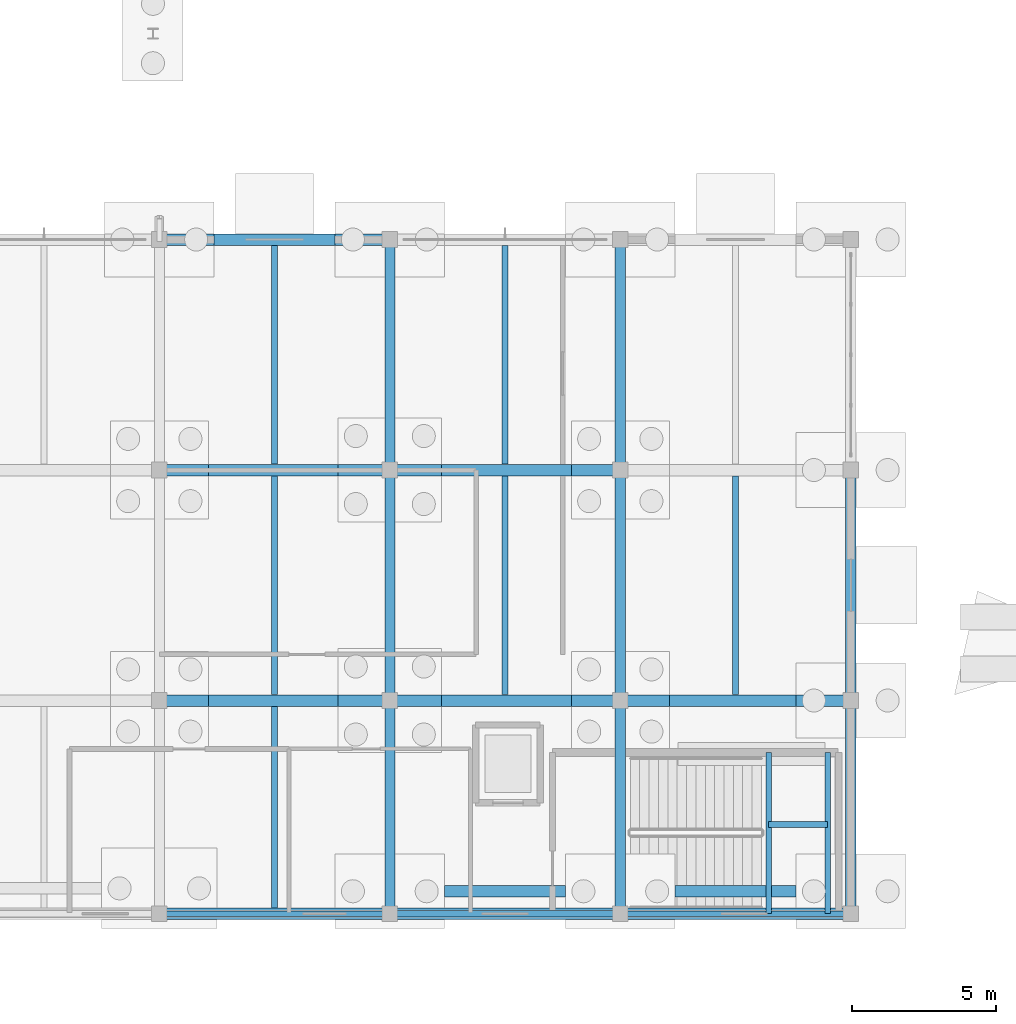
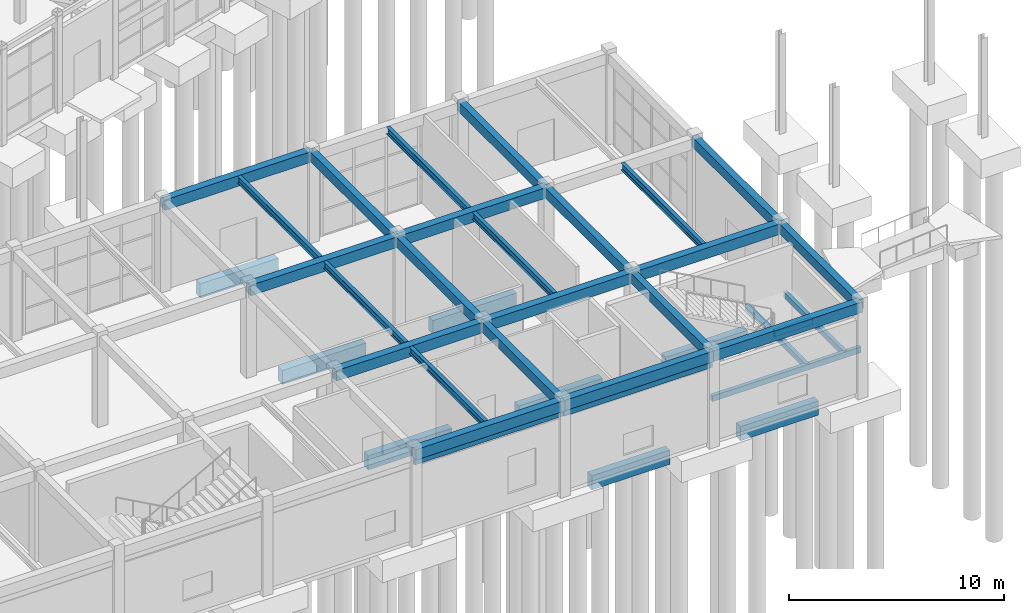
# One storey, part 22 of 90: 37 beams.
"""IFC4 building model written with IfcOpenShell, lengths in metres."""

import ifcopenshell
import ifcopenshell.guid

model = None  # the IFC model being written
_history = None  # IfcOwnerHistory: only IFC2X3 demands one
_inside = {}  # id of a spatial element -> (the spatial element, [elements in it])
_under = {}  # id of a project, library or spatial element -> (it, [spatial elements below it])
_declared = {}  # id of a project -> (the project, [libraries it declares])
_typed = {}  # id of a type object -> (the type object, [elements of that type])
_made_of = {}  # id of a material, layer set ... -> (it, [elements and type objects made of it])


def new_model(schema):
    """Start an empty IFC model of exactly this schema.

    Asked for "IFC4X3", IfcOpenShell would pick the latest addendum, in which some entities
    have other attributes; the version numbers below select the first issue.
    IFC2X3 requires an IfcOwnerHistory on every rooted entity: one is made here for all.
    """
    global model, _history
    if schema == "IFC4X3":
        model = ifcopenshell.file(schema_version=(4, 3, 0, 0))
    else:
        model = ifcopenshell.file(schema=schema)
    _inside.clear()
    _under.clear()
    _declared.clear()
    _typed.clear()
    _made_of.clear()
    _history = None
    if model.schema == "IFC2X3":
        org = make("IfcOrganization", Name="unknown")
        user = make(
            "IfcPersonAndOrganization",
            ThePerson=make("IfcPerson", FamilyName="unknown"),
            TheOrganization=org,
        )
        app = make(
            "IfcApplication",
            ApplicationDeveloper=org,
            Version="unknown",
            ApplicationFullName="unknown",
            ApplicationIdentifier="unknown",
        )
        _history = make(
            "IfcOwnerHistory",
            OwningUser=user,
            OwningApplication=app,
            ChangeAction="ADDED",
            CreationDate=0,
        )
    return model


def make(cls, **values):
    """One entity of the class cls with the attributes given. An attribute that is None is left unset."""
    return model.create_entity(
        cls, **{name: value for name, value in values.items() if value is not None}
    )


def rooted(cls, **values):
    """An entity with a GlobalId (a new one), such as an element, a storey or a relation."""
    return make(cls, GlobalId=ifcopenshell.guid.new(), OwnerHistory=_history, **values)


def si_unit(unit_type, name, prefix=None):
    """IfcSIUnit, for example si_unit("LENGTHUNIT", "METRE", prefix="MILLI")."""
    return make("IfcSIUnit", UnitType=unit_type, Prefix=prefix, Name=name)


def assignment(units):
    """IfcUnitAssignment: the units of a project."""
    return None if units is None else make("IfcUnitAssignment", Units=units)


def point(xyz):
    """IfcCartesianPoint."""
    return None if xyz is None else make("IfcCartesianPoint", Coordinates=xyz)


def direction(xyz):
    """IfcDirection."""
    return None if xyz is None else make("IfcDirection", DirectionRatios=xyz)


def frame(location, z_axis=None, x_axis=None):
    """IfcAxis2Placement3D, a coordinate frame: its origin and axes. An axis left out is left unset."""
    return make(
        "IfcAxis2Placement3D",
        Location=point(location),
        Axis=direction(z_axis),
        RefDirection=direction(x_axis),
    )


def frame_2d(location, x_axis=None):
    """IfcAxis2Placement2D, a coordinate frame in the plane: its origin and x axis."""
    return make(
        "IfcAxis2Placement2D", Location=point(location), RefDirection=direction(x_axis)
    )


def origin():
    """The frame at (0, 0, 0) with its axes left unset."""
    return frame((0.0, 0.0, 0.0))


def origin_2d():
    """The frame at (0, 0) in the plane with its x axis left unset."""
    return frame_2d((0.0, 0.0))


def place(relative_to, where):
    """IfcLocalPlacement: puts the frame where relative to a parent placement (None: the world)."""
    return make(
        "IfcLocalPlacement", PlacementRelTo=relative_to, RelativePlacement=where
    )


def context(
    kind, dimensions, precision=None, world=None, true_north=None, identifier=None
):
    """IfcGeometricRepresentationContext, for example the 3D "Model" context."""
    return make(
        "IfcGeometricRepresentationContext",
        ContextIdentifier=identifier,
        ContextType=kind,
        CoordinateSpaceDimension=dimensions,
        Precision=precision,
        WorldCoordinateSystem=world,
        TrueNorth=true_north,
    )


def subcontext(parent, identifier, kind, view, scale=None):
    """IfcGeometricRepresentationSubContext, for example "Body" below "Model"."""
    return make(
        "IfcGeometricRepresentationSubContext",
        ContextIdentifier=identifier,
        ContextType=kind,
        ParentContext=parent,
        TargetScale=scale,
        TargetView=view,
    )


def project(units=None, contexts=None):
    """IfcProject with its units and contexts."""
    return rooted(
        "IfcProject",
        Name="project",
        RepresentationContexts=contexts,
        UnitsInContext=assignment(units),
    )


def spatial(cls, under=None, at=None, **own):
    """A site, building, storey or space (cls), placed at a placement, below another one or the project."""
    s = rooted(cls, ObjectPlacement=at, **own)
    if under is not None:
        _under.setdefault(under.id(), (under, []))[1].append(s)
    return s


def profile(cls, at=None, kind="AREA", **sizes):
    """A parametric profile (cls). Its sizes go by their IFC names, for example OverallWidth=200.0."""
    return make(cls, ProfileType=kind, Position=at, **sizes)


def rectangle(**sizes):
    """IfcRectangleProfileDef."""
    return profile("IfcRectangleProfileDef", **sizes)


def i_section(**sizes):
    """IfcIShapeProfileDef."""
    return profile("IfcIShapeProfileDef", **sizes)


def extrude(swept, where, along, depth):
    """IfcExtrudedAreaSolid: the profile swept, set in the frame where, extruded along a direction by depth."""
    return make(
        "IfcExtrudedAreaSolid",
        SweptArea=swept,
        Position=where,
        ExtrudedDirection=direction(along),
        Depth=depth,
    )


def shape(context_of_items, identifier, shape_type, items):
    """IfcShapeRepresentation: the items that make up one representation, for example the "Body"."""
    return make(
        "IfcShapeRepresentation",
        ContextOfItems=context_of_items,
        RepresentationIdentifier=identifier,
        RepresentationType=shape_type,
        Items=items,
    )


def material(Name=None, Category=None):
    """IfcMaterial."""
    return make("IfcMaterial", Name=Name, Category=Category)


def material_profile(
    of_material, cross_section, Name=None, Category=None, Priority=None
):
    """IfcMaterialProfile: a cross section and its material."""
    return make(
        "IfcMaterialProfile",
        Name=Name,
        Material=of_material,
        Profile=cross_section,
        Priority=Priority,
        Category=Category,
    )


def profile_set(profiles, Name=None, composite=None):
    """IfcMaterialProfileSet."""
    return make(
        "IfcMaterialProfileSet",
        Name=Name,
        MaterialProfiles=profiles,
        CompositeProfile=composite,
    )


def made_of(thing, what):
    """Note that an element or type object is made of a material, layer set ...; save() writes the relation."""
    if what is not None:
        _made_of.setdefault(what.id(), (what, []))[1].append(thing)
    return thing


def type_object(cls, material=None, **own):
    """A type object (cls), such as IfcWallType, which elements share."""
    return made_of(rooted(cls, **own), material)


def element(
    cls,
    number,
    at=None,
    inside=None,
    cuts=None,
    type_object=None,
    material=None,
    context=None,
    identifier="Body",
    shape_type=None,
    held_by="IfcProductDefinitionShape",
    body=None,
    shapes=None,
    **own,
):
    """One element of the class cls, such as IfcWall. Its Tag is "e" and its number.

    at: its placement. inside: the storey or other place that contains it. cuts: it is an
    opening in that element (IfcRelVoidsElement). A single representation is given by context,
    identifier, shape_type and body (its items); several are given by shapes. held_by: the class
    of the entity that holds the representations. save() writes the other relations.
    """
    e = rooted(cls, Tag="e%d" % number, ObjectPlacement=at, **own)
    if body is not None:
        shapes = [shape(context, identifier, shape_type, body)]
    if shapes is not None:
        e.Representation = make(held_by, Representations=shapes)
    if inside is not None:
        _inside.setdefault(inside.id(), (inside, []))[1].append(e)
    if cuts is not None:
        rooted(
            "IfcRelVoidsElement", RelatingBuildingElement=cuts, RelatedOpeningElement=e
        )
    if type_object is not None:
        _typed.setdefault(type_object.id(), (type_object, []))[1].append(e)
    return made_of(e, material)


def aggregate(whole, parts):
    """IfcRelAggregates: a whole, such as a stair, and the parts it consists of."""
    return rooted("IfcRelAggregates", RelatingObject=whole, RelatedObjects=parts)


def save(model, path):
    """Write the relations noted so far, then the file.

    IfcRelAggregates (storeys below a building ...), IfcRelContainedInSpatialStructure (elements
    in a storey), IfcRelDefinesByType, IfcRelAssociatesMaterial and IfcRelDeclares: one each for
    every whole, place, type object, material and project.
    """
    for whole, parts in _under.values():
        aggregate(whole, parts)
    for where, things in _inside.values():
        rooted(
            "IfcRelContainedInSpatialStructure",
            RelatedElements=things,
            RelatingStructure=where,
        )
    for kind, things in _typed.values():
        rooted("IfcRelDefinesByType", RelatedObjects=things, RelatingType=kind)
    for what, things in _made_of.values():
        rooted("IfcRelAssociatesMaterial", RelatedObjects=things, RelatingMaterial=what)
    for by, libraries in _declared.values():
        rooted("IfcRelDeclares", RelatingContext=by, RelatedDefinitions=libraries)
    model.write(path)


model = new_model("IFC4")

# Units and contexts
model_context = context("Model", 3, precision=1e-05, world=origin(), true_north=direction((0.0, 1.0)))
body_context = subcontext(model_context, "Body", "Model", "MODEL_VIEW")
ifc_project = project(units=[si_unit("LENGTHUNIT", "METRE"), si_unit("AREAUNIT", "SQUARE_METRE"), si_unit("VOLUMEUNIT", "CUBIC_METRE"), si_unit("PLANEANGLEUNIT", "RADIAN"), si_unit("MASSUNIT", "GRAM", prefix="KILO")], contexts=[model_context])

# Site, building, storey
site_placement = place(None, origin())
site = spatial("IfcSite", under=ifc_project, at=site_placement, CompositionType="ELEMENT")
building_placement = place(site_placement, origin())
building = spatial("IfcBuilding", under=site, at=building_placement, Name="Canggui Botanical Conservatory", CompositionType="ELEMENT")
storey_placement = place(building_placement, origin())
storey = spatial("IfcBuildingStorey", under=building, at=storey_placement, Name="L01", CompositionType="ELEMENT", Elevation=0.0)

# Beams
ifc_material_1 = material(Name="Concrete C35", Category="concrete")
ifc_material_profile_1 = material_profile(ifc_material_1, rectangle(XDim=0.39990234375, YDim=0.800048828125, at=origin_2d()), Name="RB 400x800")
ifc_profile_set_1 = profile_set([ifc_material_profile_1], Name="Concrete C35")
beam_type_1 = type_object("IfcBeamType", Name="BM-JCL01", PredefinedType="USERDEFINED", material=ifc_profile_set_1)
for number, where, z_axis, x_axis, name in (
    (1, (51.89990234375, 11.3798828125, -0.679931640625), (1.0, 0.0, 0.0), (0.0, 1.0, 0.0), "Foundation Grade Tie Beam JCL-004"),
    (2, (59.89990234375, 11.3798828125, -0.679931640625), (1.0, 0.0, 0.0), (0.0, 1.0, 0.0), "Foundation Grade Tie Beam JCL-005"),
):
    element("IfcBeam", number, at=place(storey_placement, frame(where, z_axis=z_axis, x_axis=x_axis)), inside=storey, type_object=beam_type_1, Name=name, ObjectType="GRADE BEAM", PredefinedType="USERDEFINED", context=body_context, shape_type="SweptSolid", body=[
        extrude(rectangle(XDim=0.39990234375, YDim=0.800048828125, at=origin_2d()), origin(), (0.0, 0.0, 1.0), 4.2001953125),
    ])
for number, where, z_axis, x_axis, name in (
    (3, (43.699951171875, 18.0, -0.679931640625), (1.0, 0.0, 0.0), (0.0, 1.0, 0.0), "Foundation Grade Tie Beam JCL-010"),
    (4, (51.800048828125, 18.0, -0.679931640625), (1.0, 0.0, 0.0), (0.0, 1.0, 0.0), "Foundation Grade Tie Beam JCL-011"),
):
    element("IfcBeam", number, at=place(storey_placement, frame(where, z_axis=z_axis, x_axis=x_axis)), inside=storey, type_object=beam_type_1, Name=name, ObjectType="GRADE BEAM", PredefinedType="USERDEFINED", context=body_context, shape_type="SweptSolid", body=[
        extrude(rectangle(XDim=0.39990234375, YDim=0.800048828125, at=origin_2d()), origin(), (0.0, 0.0, 1.0), 4.5),
    ])
beam_1_placement = place(storey_placement, frame((59.699951171875, 18.0, -0.679931640625), z_axis=(1.0, 0.0, 0.0), x_axis=(0.0, 1.0, 0.0)))
element("IfcBeam", 5, at=beam_1_placement, inside=storey, type_object=beam_type_1, Name="Foundation Grade Tie Beam JCL-012", ObjectType="GRADE BEAM", PredefinedType="USERDEFINED", context=body_context, shape_type="SweptSolid", body=[
    extrude(rectangle(XDim=0.39990234375, YDim=0.800048828125, at=origin_2d()), origin(), (0.0, 0.0, 1.0), 4.400146484375),
])
for number, where, z_axis, x_axis, name in (
    (6, (43.699951171875, 26.0, -0.679931640625), (1.0, 0.0, 0.0), (0.0, 1.0, 0.0), "Foundation Grade Tie Beam JCL-017"),
    (7, (51.800048828125, 26.0, -0.679931640625), (1.0, 0.0, 0.0), (0.0, 1.0, 0.0), "Foundation Grade Tie Beam JCL-018"),
):
    element("IfcBeam", number, at=place(storey_placement, frame(where, z_axis=z_axis, x_axis=x_axis)), inside=storey, type_object=beam_type_1, Name=name, ObjectType="GRADE BEAM", PredefinedType="USERDEFINED", context=body_context, shape_type="SweptSolid", body=[
        extrude(rectangle(XDim=0.39990234375, YDim=0.800048828125, at=origin_2d()), origin(), (0.0, 0.0, 1.0), 4.5),
    ])
beam_2_placement = place(storey_placement, frame((43.89990234375, 34.0, -0.679931640625), z_axis=(1.0, 0.0, 0.0), x_axis=(0.0, 1.0, 0.0)))
element("IfcBeam", 8, at=beam_2_placement, inside=storey, type_object=beam_type_1, Name="Foundation Grade Tie Beam JCL-024", ObjectType="GRADE BEAM", PredefinedType="USERDEFINED", context=body_context, shape_type="SweptSolid", body=[
    extrude(rectangle(XDim=0.39990234375, YDim=0.800048828125, at=origin_2d()), origin(), (0.0, 0.0, 1.0), 4.2001953125),
])
ifc_material_2 = material(Name="Steel Q355B", Category="steel")
ifc_material_profile_2 = material_profile(ifc_material_2, i_section(OverallWidth=0.199951171875, OverallDepth=0.39990234375, WebThickness=0.008056640625, FlangeThickness=0.012939453125, FilletRadius=0.01611328125, at=origin_2d()), Name="HN 400x200x8x13")
ifc_profile_set_2 = profile_set([ifc_material_profile_2], Name="Steel Q355B")
beam_type_2 = type_object("IfcBeamType", Name="BM-JST06", PredefinedType="JOIST", material=ifc_profile_set_2)
beam_3_placement = place(storey_placement, frame((46.0, 10.804931640625, 4.9599609375), z_axis=(0.0, 1.0, 0.0), x_axis=(-1.0, 0.0, 0.0)))
element("IfcBeam", 9, at=beam_3_placement, inside=storey, type_object=beam_type_2, Name="Visitor Composite Steel Joist L01-4-1", PredefinedType="JOIST", context=body_context, shape_type="SweptSolid", body=[
    extrude(i_section(OverallWidth=0.199951171875, OverallDepth=0.39990234375, WebThickness=0.008056640625, FlangeThickness=0.012939453125, FilletRadius=0.01611328125, at=origin_2d()), origin(), (0.0, 0.0, 1.0), 6.989990234375),
])
for number, where, z_axis, x_axis, name in (
    (10, (46.0, 18.205078125, 4.9599609375), (0.0, 1.0, 0.0), (-1.0, 0.0, 0.0), "Visitor Composite Steel Joist L01-4-2"),
    (11, (46.0, 26.205078125, 4.9599609375), (0.0, 1.0, 0.0), (-1.0, 0.0, 0.0), "Visitor Composite Steel Joist L01-4-3"),
    (12, (54.0, 18.205078125, 4.9599609375), (0.0, 1.0, 0.0), (-1.0, 0.0, 0.0), "Visitor Composite Steel Joist L01-5-2"),
    (13, (54.0, 26.205078125, 4.9599609375), (0.0, 1.0, 0.0), (-1.0, 0.0, 0.0), "Visitor Composite Steel Joist L01-5-3"),
    (14, (62.0, 18.205078125, 4.9599609375), (0.0, 1.0, 0.0), (-1.0, 0.0, 0.0), "Visitor Composite Steel Joist L01-6-2"),
):
    element("IfcBeam", number, at=place(storey_placement, frame(where, z_axis=z_axis, x_axis=x_axis)), inside=storey, type_object=beam_type_2, Name=name, PredefinedType="JOIST", context=body_context, shape_type="SweptSolid", body=[
        extrude(i_section(OverallWidth=0.199951171875, OverallDepth=0.39990234375, WebThickness=0.008056640625, FlangeThickness=0.012939453125, FilletRadius=0.01611328125, at=origin_2d()), origin(), (0.0, 0.0, 1.0), 7.58984375),
    ])
ifc_material_profile_3 = material_profile(ifc_material_1, rectangle(XDim=0.39990234375, YDim=0.60009765625, at=origin_2d()), Name="RB 400x600")
ifc_profile_set_3 = profile_set([ifc_material_profile_3], Name="Concrete C35")
beam_type_3 = type_object("IfcBeamType", Name="BM-KL13", PredefinedType="BEAM", material=ifc_profile_set_3)
for number, where, z_axis, x_axis, name in (
    (15, (42.0, 10.60009765625, 4.860107421875), (1.0, 0.0, 0.0), (0.0, 1.0, 0.0), "Visitor Girder L01 Y10-4"),
    (16, (50.0, 10.60009765625, 4.860107421875), (1.0, 0.0, 0.0), (0.0, 1.0, 0.0), "Visitor Girder L01 Y10-5"),
    (17, (58.0, 10.60009765625, 4.860107421875), (1.0, 0.0, 0.0), (0.0, 1.0, 0.0), "Visitor Girder L01 Y10-6"),
    (18, (42.0, 18.0, 4.860107421875), (1.0, 0.0, 0.0), (0.0, 1.0, 0.0), "Visitor Girder L01 Y18-4"),
    (19, (50.0, 18.0, 4.860107421875), (1.0, 0.0, 0.0), (0.0, 1.0, 0.0), "Visitor Girder L01 Y18-5"),
    (20, (58.0, 18.0, 4.860107421875), (1.0, 0.0, 0.0), (0.0, 1.0, 0.0), "Visitor Girder L01 Y18-6"),
    (21, (42.0, 26.0, 4.860107421875), (1.0, 0.0, 0.0), (0.0, 1.0, 0.0), "Visitor Girder L01 Y26-4"),
    (22, (50.0, 26.0, 4.860107421875), (1.0, 0.0, 0.0), (0.0, 1.0, 0.0), "Visitor Girder L01 Y26-5"),
    (23, (42.0, 34.0, 4.860107421875), (1.0, 0.0, 0.0), (0.0, 1.0, 0.0), "Visitor Girder L01 Y34-4"),
):
    element("IfcBeam", number, at=place(storey_placement, frame(where, z_axis=z_axis, x_axis=x_axis)), inside=storey, type_object=beam_type_3, Name=name, PredefinedType="BEAM", context=body_context, shape_type="SweptSolid", body=[
        extrude(rectangle(XDim=0.39990234375, YDim=0.60009765625, at=origin_2d()), origin(), (0.0, 0.0, 1.0), 8.0),
    ])
ifc_material_profile_4 = material_profile(ifc_material_1, rectangle(XDim=0.35009765625, YDim=0.550048828125, at=origin_2d()), Name="RB 350x550")
ifc_profile_set_4 = profile_set([ifc_material_profile_4], Name="Concrete C35")
beam_type_4 = type_object("IfcBeamType", Name="BM-KL20", PredefinedType="BEAM", material=ifc_profile_set_4)
beam_4_placement = place(storey_placement, frame((50.0, 10.60009765625, 4.885009765625), z_axis=(0.0, 1.0, 0.0), x_axis=(-1.0, 0.0, 0.0)))
element("IfcBeam", 24, at=beam_4_placement, inside=storey, type_object=beam_type_4, Name="Visitor Girder L01 X50-1", PredefinedType="BEAM", context=body_context, shape_type="SweptSolid", body=[
    extrude(rectangle(XDim=0.35009765625, YDim=0.550048828125, at=origin_2d()), origin(), (0.0, 0.0, 1.0), 7.39990234375),
])
for number, where, z_axis, x_axis, name in (
    (25, (50.0, 18.0, 4.885009765625), (0.0, 1.0, 0.0), (-1.0, 0.0, 0.0), "Visitor Girder L01 X50-2"),
    (26, (50.0, 26.0, 4.885009765625), (0.0, 1.0, 0.0), (-1.0, 0.0, 0.0), "Visitor Girder L01 X50-3"),
):
    element("IfcBeam", number, at=place(storey_placement, frame(where, z_axis=z_axis, x_axis=x_axis)), inside=storey, type_object=beam_type_4, Name=name, PredefinedType="BEAM", context=body_context, shape_type="SweptSolid", body=[
        extrude(rectangle(XDim=0.35009765625, YDim=0.550048828125, at=origin_2d()), origin(), (0.0, 0.0, 1.0), 8.0),
    ])
beam_5_placement = place(storey_placement, frame((58.0, 10.60009765625, 4.885009765625), z_axis=(0.0, 1.0, 0.0), x_axis=(-1.0, 0.0, 0.0)))
element("IfcBeam", 27, at=beam_5_placement, inside=storey, type_object=beam_type_4, Name="Visitor Girder L01 X58-1", PredefinedType="BEAM", context=body_context, shape_type="SweptSolid", body=[
    extrude(rectangle(XDim=0.35009765625, YDim=0.550048828125, at=origin_2d()), origin(), (0.0, 0.0, 1.0), 7.39990234375),
])
for number, where, z_axis, x_axis, name in (
    (28, (58.0, 18.0, 4.885009765625), (0.0, 1.0, 0.0), (-1.0, 0.0, 0.0), "Visitor Girder L01 X58-2"),
    (29, (58.0, 26.0, 4.885009765625), (0.0, 1.0, 0.0), (-1.0, 0.0, 0.0), "Visitor Girder L01 X58-3"),
):
    element("IfcBeam", number, at=place(storey_placement, frame(where, z_axis=z_axis, x_axis=x_axis)), inside=storey, type_object=beam_type_4, Name=name, PredefinedType="BEAM", context=body_context, shape_type="SweptSolid", body=[
        extrude(rectangle(XDim=0.35009765625, YDim=0.550048828125, at=origin_2d()), origin(), (0.0, 0.0, 1.0), 8.0),
    ])
beam_6_placement = place(storey_placement, frame((66.0, 10.60009765625, 4.885009765625), z_axis=(0.0, 1.0, 0.0), x_axis=(-1.0, 0.0, 0.0)))
element("IfcBeam", 30, at=beam_6_placement, inside=storey, type_object=beam_type_4, Name="Visitor Girder L01 X66-1", PredefinedType="BEAM", context=body_context, shape_type="SweptSolid", body=[
    extrude(rectangle(XDim=0.35009765625, YDim=0.550048828125, at=origin_2d()), origin(), (0.0, 0.0, 1.0), 7.39990234375),
])
beam_7_placement = place(storey_placement, frame((66.0, 18.0, 4.885009765625), z_axis=(0.0, 1.0, 0.0), x_axis=(-1.0, 0.0, 0.0)))
element("IfcBeam", 31, at=beam_7_placement, inside=storey, type_object=beam_type_4, Name="Visitor Girder L01 X66-2", PredefinedType="BEAM", context=body_context, shape_type="SweptSolid", body=[
    extrude(rectangle(XDim=0.35009765625, YDim=0.550048828125, at=origin_2d()), origin(), (0.0, 0.0, 1.0), 8.0),
])
ifc_material_profile_5 = material_profile(ifc_material_1, rectangle(XDim=0.239990234375, YDim=0.360107421875, at=origin_2d()), Name="RB 240x360")
ifc_profile_set_5 = profile_set([ifc_material_profile_5], Name="Concrete C35")
beam_type_5 = type_object("IfcBeamType", Name="BM-LIN01", PredefinedType="LINTEL", material=ifc_profile_set_5)
beam_8_placement = place(storey_placement, frame((50.0, 10.60009765625, 4.3798828125), z_axis=(1.0, 0.0, 0.0), x_axis=(0.0, 1.0, 0.0)))
element("IfcBeam", 32, at=beam_8_placement, inside=storey, type_object=beam_type_5, Name="Masonry Portal Lintel QL-06", PredefinedType="LINTEL", context=body_context, shape_type="SweptSolid", body=[
    extrude(rectangle(XDim=0.239990234375, YDim=0.360107421875, at=origin_2d()), origin(), (0.0, 0.0, 1.0), 8.0),
])
ifc_material_profile_6 = material_profile(ifc_material_1, rectangle(XDim=0.199951171875, YDim=0.320068359375, at=origin_2d()), Name="RB 200x320")
ifc_profile_set_6 = profile_set([ifc_material_profile_6], Name="Concrete C35")
beam_type_6 = type_object("IfcBeamType", Name="BM-LIN02", PredefinedType="LINTEL", material=ifc_profile_set_6)
for number, where, z_axis, x_axis, name in (
    (33, (42.0, 10.60009765625, 4.3798828125), (1.0, 0.0, 0.0), (0.0, 1.0, 0.0), "Masonry Portal Lintel QL-05"),
    (34, (58.0, 10.60009765625, 2.3798828125), (1.0, 0.0, 0.0), (0.0, 1.0, 0.0), "ST-V1 Landing Header South L01"),
):
    element("IfcBeam", number, at=place(storey_placement, frame(where, z_axis=z_axis, x_axis=x_axis)), inside=storey, type_object=beam_type_6, Name=name, PredefinedType="LINTEL", context=body_context, shape_type="SweptSolid", body=[
        extrude(rectangle(XDim=0.199951171875, YDim=0.320068359375, at=origin_2d()), origin(), (0.0, 0.0, 1.0), 8.0),
    ])
for number, where, z_axis, x_axis, name in (
    (35, (63.1494140625, 10.60009765625, 2.3798828125), (0.0, 1.0, 0.0), (-1.0, 0.0, 0.0), "ST-V1 Landing Trimmer 1 L01"),
    (36, (65.199951171875, 10.60009765625, 2.3798828125), (0.0, 1.0, 0.0), (-1.0, 0.0, 0.0), "ST-V1 Landing Trimmer 2 L01"),
):
    element("IfcBeam", number, at=place(storey_placement, frame(where, z_axis=z_axis, x_axis=x_axis)), inside=storey, type_object=beam_type_6, Name=name, PredefinedType="LINTEL", context=body_context, shape_type="SweptSolid", body=[
        extrude(rectangle(XDim=0.199951171875, YDim=0.320068359375, at=origin_2d()), origin(), (0.0, 0.0, 1.0), 5.599853515625),
    ])
beam_9_placement = place(storey_placement, frame((63.1494140625, 13.699951171875, 2.3798828125), z_axis=(1.0, 0.0, 0.0), x_axis=(0.0, 1.0, 0.0)))
element("IfcBeam", 37, at=beam_9_placement, inside=storey, type_object=beam_type_6, Name="ST-V1 Landing Cross Tie L01", PredefinedType="LINTEL", context=body_context, shape_type="SweptSolid", body=[
    extrude(rectangle(XDim=0.199951171875, YDim=0.320068359375, at=origin_2d()), origin(), (0.0, 0.0, 1.0), 2.050537109375),
])

save(model, "model.ifc")
